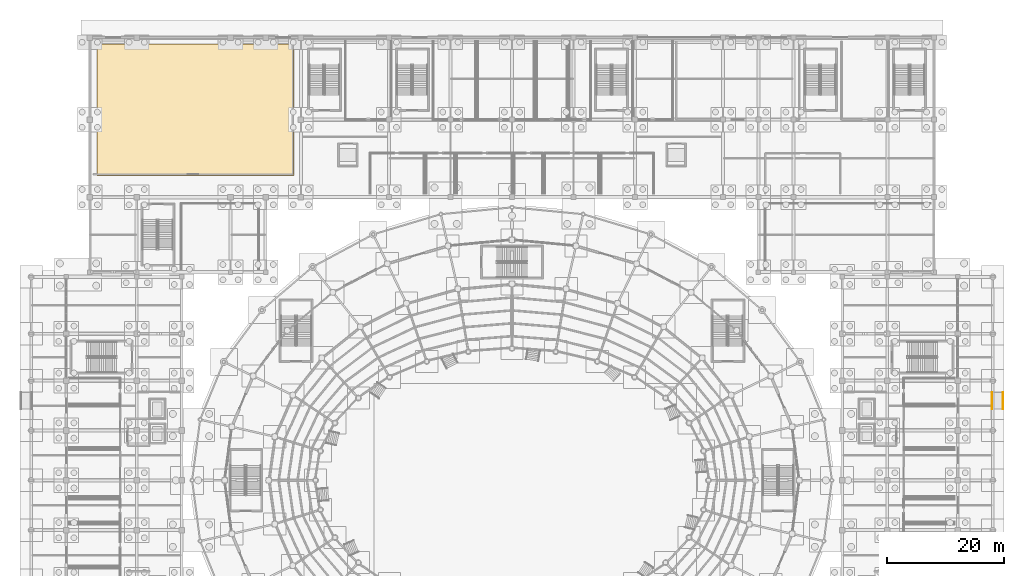
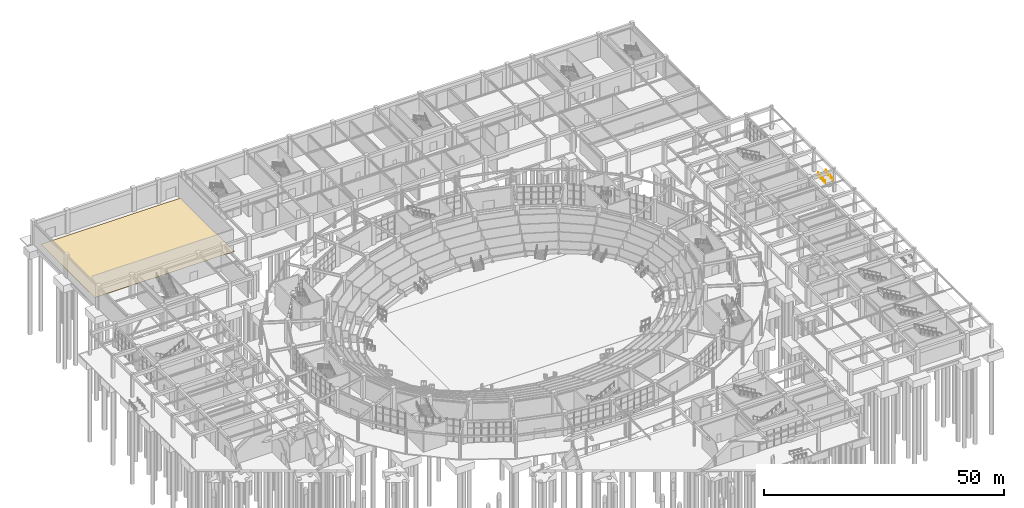
# One storey, part 117 of 121: 2 railings, 1 covering.
"""IFC4 building model written with IfcOpenShell, lengths in metres."""

import ifcopenshell
import ifcopenshell.guid

model = None  # the IFC model being written
_history = None  # IfcOwnerHistory: only IFC2X3 demands one
_inside = {}  # id of a spatial element -> (the spatial element, [elements in it])
_under = {}  # id of a project, library or spatial element -> (it, [spatial elements below it])
_declared = {}  # id of a project -> (the project, [libraries it declares])
_typed = {}  # id of a type object -> (the type object, [elements of that type])
_made_of = {}  # id of a material, layer set ... -> (it, [elements and type objects made of it])


def new_model(schema):
    """Start an empty IFC model of exactly this schema.

    Asked for "IFC4X3", IfcOpenShell would pick the latest addendum, in which some entities
    have other attributes; the version numbers below select the first issue.
    IFC2X3 requires an IfcOwnerHistory on every rooted entity: one is made here for all.
    """
    global model, _history
    if schema == "IFC4X3":
        model = ifcopenshell.file(schema_version=(4, 3, 0, 0))
    else:
        model = ifcopenshell.file(schema=schema)
    _inside.clear()
    _under.clear()
    _declared.clear()
    _typed.clear()
    _made_of.clear()
    _history = None
    if model.schema == "IFC2X3":
        org = make("IfcOrganization", Name="unknown")
        user = make(
            "IfcPersonAndOrganization",
            ThePerson=make("IfcPerson", FamilyName="unknown"),
            TheOrganization=org,
        )
        app = make(
            "IfcApplication",
            ApplicationDeveloper=org,
            Version="unknown",
            ApplicationFullName="unknown",
            ApplicationIdentifier="unknown",
        )
        _history = make(
            "IfcOwnerHistory",
            OwningUser=user,
            OwningApplication=app,
            ChangeAction="ADDED",
            CreationDate=0,
        )
    return model


def make(cls, **values):
    """One entity of the class cls with the attributes given. An attribute that is None is left unset."""
    return model.create_entity(
        cls, **{name: value for name, value in values.items() if value is not None}
    )


def rooted(cls, **values):
    """An entity with a GlobalId (a new one), such as an element, a storey or a relation."""
    return make(cls, GlobalId=ifcopenshell.guid.new(), OwnerHistory=_history, **values)


def si_unit(unit_type, name, prefix=None):
    """IfcSIUnit, for example si_unit("LENGTHUNIT", "METRE", prefix="MILLI")."""
    return make("IfcSIUnit", UnitType=unit_type, Prefix=prefix, Name=name)


def assignment(units):
    """IfcUnitAssignment: the units of a project."""
    return None if units is None else make("IfcUnitAssignment", Units=units)


def point(xyz):
    """IfcCartesianPoint."""
    return None if xyz is None else make("IfcCartesianPoint", Coordinates=xyz)


def direction(xyz):
    """IfcDirection."""
    return None if xyz is None else make("IfcDirection", DirectionRatios=xyz)


def frame(location, z_axis=None, x_axis=None):
    """IfcAxis2Placement3D, a coordinate frame: its origin and axes. An axis left out is left unset."""
    return make(
        "IfcAxis2Placement3D",
        Location=point(location),
        Axis=direction(z_axis),
        RefDirection=direction(x_axis),
    )


def frame_2d(location, x_axis=None):
    """IfcAxis2Placement2D, a coordinate frame in the plane: its origin and x axis."""
    return make(
        "IfcAxis2Placement2D", Location=point(location), RefDirection=direction(x_axis)
    )


def origin():
    """The frame at (0, 0, 0) with its axes left unset."""
    return frame((0.0, 0.0, 0.0))


def origin_2d():
    """The frame at (0, 0) in the plane with its x axis left unset."""
    return frame_2d((0.0, 0.0))


def place(relative_to, where):
    """IfcLocalPlacement: puts the frame where relative to a parent placement (None: the world)."""
    return make(
        "IfcLocalPlacement", PlacementRelTo=relative_to, RelativePlacement=where
    )


def context(
    kind, dimensions, precision=None, world=None, true_north=None, identifier=None
):
    """IfcGeometricRepresentationContext, for example the 3D "Model" context."""
    return make(
        "IfcGeometricRepresentationContext",
        ContextIdentifier=identifier,
        ContextType=kind,
        CoordinateSpaceDimension=dimensions,
        Precision=precision,
        WorldCoordinateSystem=world,
        TrueNorth=true_north,
    )


def subcontext(parent, identifier, kind, view, scale=None):
    """IfcGeometricRepresentationSubContext, for example "Body" below "Model"."""
    return make(
        "IfcGeometricRepresentationSubContext",
        ContextIdentifier=identifier,
        ContextType=kind,
        ParentContext=parent,
        TargetScale=scale,
        TargetView=view,
    )


def project(units=None, contexts=None):
    """IfcProject with its units and contexts."""
    return rooted(
        "IfcProject",
        Name="project",
        RepresentationContexts=contexts,
        UnitsInContext=assignment(units),
    )


def spatial(cls, under=None, at=None, **own):
    """A site, building, storey or space (cls), placed at a placement, below another one or the project."""
    s = rooted(cls, ObjectPlacement=at, **own)
    if under is not None:
        _under.setdefault(under.id(), (under, []))[1].append(s)
    return s


def polyline(points):
    """IfcPolyline through the points."""
    return make("IfcPolyline", Points=[point(p) for p in points])


def profile(cls, at=None, kind="AREA", **sizes):
    """A parametric profile (cls). Its sizes go by their IFC names, for example OverallWidth=200.0."""
    return make(cls, ProfileType=kind, Position=at, **sizes)


def circle(**sizes):
    """IfcCircleProfileDef."""
    return profile("IfcCircleProfileDef", **sizes)


def outline(outer, holes=None, kind="AREA"):
    """IfcArbitraryClosedProfileDef: a profile drawn as a closed curve; with holes, ...WithVoids."""
    if holes is None:
        return make("IfcArbitraryClosedProfileDef", ProfileType=kind, OuterCurve=outer)
    return make(
        "IfcArbitraryProfileDefWithVoids",
        ProfileType=kind,
        OuterCurve=outer,
        InnerCurves=holes,
    )


def extrude(swept, where, along, depth):
    """IfcExtrudedAreaSolid: the profile swept, set in the frame where, extruded along a direction by depth."""
    return make(
        "IfcExtrudedAreaSolid",
        SweptArea=swept,
        Position=where,
        ExtrudedDirection=direction(along),
        Depth=depth,
    )


def shape(context_of_items, identifier, shape_type, items):
    """IfcShapeRepresentation: the items that make up one representation, for example the "Body"."""
    return make(
        "IfcShapeRepresentation",
        ContextOfItems=context_of_items,
        RepresentationIdentifier=identifier,
        RepresentationType=shape_type,
        Items=items,
    )


def material(Name=None, Category=None):
    """IfcMaterial."""
    return make("IfcMaterial", Name=Name, Category=Category)


def layer(
    of_material, thickness, ventilated=None, Name=None, Category=None, Priority=None
):
    """IfcMaterialLayer: one layer of a wall or slab, of a material (None: an air gap)."""
    return make(
        "IfcMaterialLayer",
        Material=of_material,
        LayerThickness=thickness,
        IsVentilated=ventilated,
        Name=Name,
        Category=Category,
        Priority=Priority,
    )


def layer_set(layers, Name=None):
    """IfcMaterialLayerSet."""
    return make("IfcMaterialLayerSet", MaterialLayers=layers, LayerSetName=Name)


def made_of(thing, what):
    """Note that an element or type object is made of a material, layer set ...; save() writes the relation."""
    if what is not None:
        _made_of.setdefault(what.id(), (what, []))[1].append(thing)
    return thing


def type_object(cls, material=None, **own):
    """A type object (cls), such as IfcWallType, which elements share."""
    return made_of(rooted(cls, **own), material)


def element(
    cls,
    number,
    at=None,
    inside=None,
    cuts=None,
    type_object=None,
    material=None,
    context=None,
    identifier="Body",
    shape_type=None,
    held_by="IfcProductDefinitionShape",
    body=None,
    shapes=None,
    **own,
):
    """One element of the class cls, such as IfcWall. Its Tag is "e" and its number.

    at: its placement. inside: the storey or other place that contains it. cuts: it is an
    opening in that element (IfcRelVoidsElement). A single representation is given by context,
    identifier, shape_type and body (its items); several are given by shapes. held_by: the class
    of the entity that holds the representations. save() writes the other relations.
    """
    e = rooted(cls, Tag="e%d" % number, ObjectPlacement=at, **own)
    if body is not None:
        shapes = [shape(context, identifier, shape_type, body)]
    if shapes is not None:
        e.Representation = make(held_by, Representations=shapes)
    if inside is not None:
        _inside.setdefault(inside.id(), (inside, []))[1].append(e)
    if cuts is not None:
        rooted(
            "IfcRelVoidsElement", RelatingBuildingElement=cuts, RelatedOpeningElement=e
        )
    if type_object is not None:
        _typed.setdefault(type_object.id(), (type_object, []))[1].append(e)
    return made_of(e, material)


def aggregate(whole, parts):
    """IfcRelAggregates: a whole, such as a stair, and the parts it consists of."""
    return rooted("IfcRelAggregates", RelatingObject=whole, RelatedObjects=parts)


def save(model, path):
    """Write the relations noted so far, then the file.

    IfcRelAggregates (storeys below a building ...), IfcRelContainedInSpatialStructure (elements
    in a storey), IfcRelDefinesByType, IfcRelAssociatesMaterial and IfcRelDeclares: one each for
    every whole, place, type object, material and project.
    """
    for whole, parts in _under.values():
        aggregate(whole, parts)
    for where, things in _inside.values():
        rooted(
            "IfcRelContainedInSpatialStructure",
            RelatedElements=things,
            RelatingStructure=where,
        )
    for kind, things in _typed.values():
        rooted("IfcRelDefinesByType", RelatedObjects=things, RelatingType=kind)
    for what, things in _made_of.values():
        rooted("IfcRelAssociatesMaterial", RelatedObjects=things, RelatingMaterial=what)
    for by, libraries in _declared.values():
        rooted("IfcRelDeclares", RelatingContext=by, RelatedDefinitions=libraries)
    model.write(path)


model = new_model("IFC4")

# Units and contexts
model_context = context("Model", 3, precision=1e-05, world=origin(), true_north=direction((0.0, 1.0)))
body_context = subcontext(model_context, "Body", "Model", "MODEL_VIEW")
ifc_project = project(units=[si_unit("LENGTHUNIT", "METRE"), si_unit("AREAUNIT", "SQUARE_METRE"), si_unit("VOLUMEUNIT", "CUBIC_METRE"), si_unit("PLANEANGLEUNIT", "RADIAN"), si_unit("MASSUNIT", "GRAM", prefix="KILO")], contexts=[model_context])

# Site, building, storey
site_placement = place(None, origin())
site = spatial("IfcSite", under=ifc_project, at=site_placement, CompositionType="ELEMENT")
building_placement = place(site_placement, origin())
building = spatial("IfcBuilding", under=site, at=building_placement, Name="Cuetzalor Civic Arena", CompositionType="ELEMENT")
storey_placement = place(building_placement, origin())
storey = spatial("IfcBuildingStorey", under=building, at=storey_placement, Name="L00", CompositionType="ELEMENT", Elevation=0.0)

# Covering
ifc_material_1 = material(Name="FIBA Grade 1 sprung maple hardwood flooring", Category="wood")
ifc_layer = layer(ifc_material_1, 0.044921875)
ifc_layer_set = layer_set([ifc_layer], Name="FIBA Grade 1 sprung maple hardwood flooring")
covering_type = type_object("IfcCoveringType", Name="SprungMapleCourtFloor_45", PredefinedType="FLOORING", material=ifc_layer_set)
covering_placement = place(storey_placement, origin())
element("IfcCovering", 1, at=covering_placement, inside=storey, type_object=covering_type, Name="Practice Court Sprung Hardwood", PredefinedType="FLOORING", context=body_context, shape_type="SweptSolid", body=[
    extrude(outline(polyline([(-70.800048828125, 74.39990234375), (-37.199951171875, 74.39990234375), (-37.199951171875, 52.0), (-70.800048828125, 52.0), (-70.800048828125, 74.39990234375)])), origin(), (0.0, 0.0, 1.0), 0.044921875),
])

# Railings
ifc_material_2 = material(Name="Galvanised steel S355", Category="steel")
railing_type = type_object("IfcRailingType", Name="StairPitchHandrail_900", PredefinedType="HANDRAIL", material=ifc_material_2)
for number, where, name in (
    (2, (81.85009765625, 12.10009765625, -0.239990234375), "Accessible Ramp RMP-E2 Handrail L"),
    (3, (83.75, 12.10009765625, -0.239990234375), "Accessible Ramp RMP-E2 Handrail R"),
):
    element("IfcRailing", number, at=place(storey_placement, frame(where)), inside=storey, type_object=railing_type, Name=name, PredefinedType="HANDRAIL", context=body_context, shape_type="SweptSolid", body=[
        extrude(circle(Radius=0.02392578125, at=origin_2d()), frame((0.0, 0.0, 0.8759765625), z_axis=(0.0, 0.996545758245, 0.083045479854), x_axis=(-1.0, 0.0, 0.0)), (0.0, 0.0, 1.0), 2.889892578125),
        extrude(circle(Radius=0.02099609375, at=origin_2d()), origin(), (0.0, 0.0, 1.0), 0.851806640625),
        extrude(circle(Radius=0.02099609375, at=origin_2d()), frame((0.0, 0.9599609375, 0.080078125)), (0.0, 0.0, 1.0), 0.851806640625),
        extrude(circle(Radius=0.02099609375, at=origin_2d()), frame((0.0, 1.919921875, 0.159912109375)), (0.0, 0.0, 1.0), 0.851806640625),
        extrude(circle(Radius=0.02099609375, at=origin_2d()), frame((0.0, 2.8798828125, 0.239990234375)), (0.0, 0.0, 1.0), 0.851806640625),
    ])

save(model, "model.ifc")
